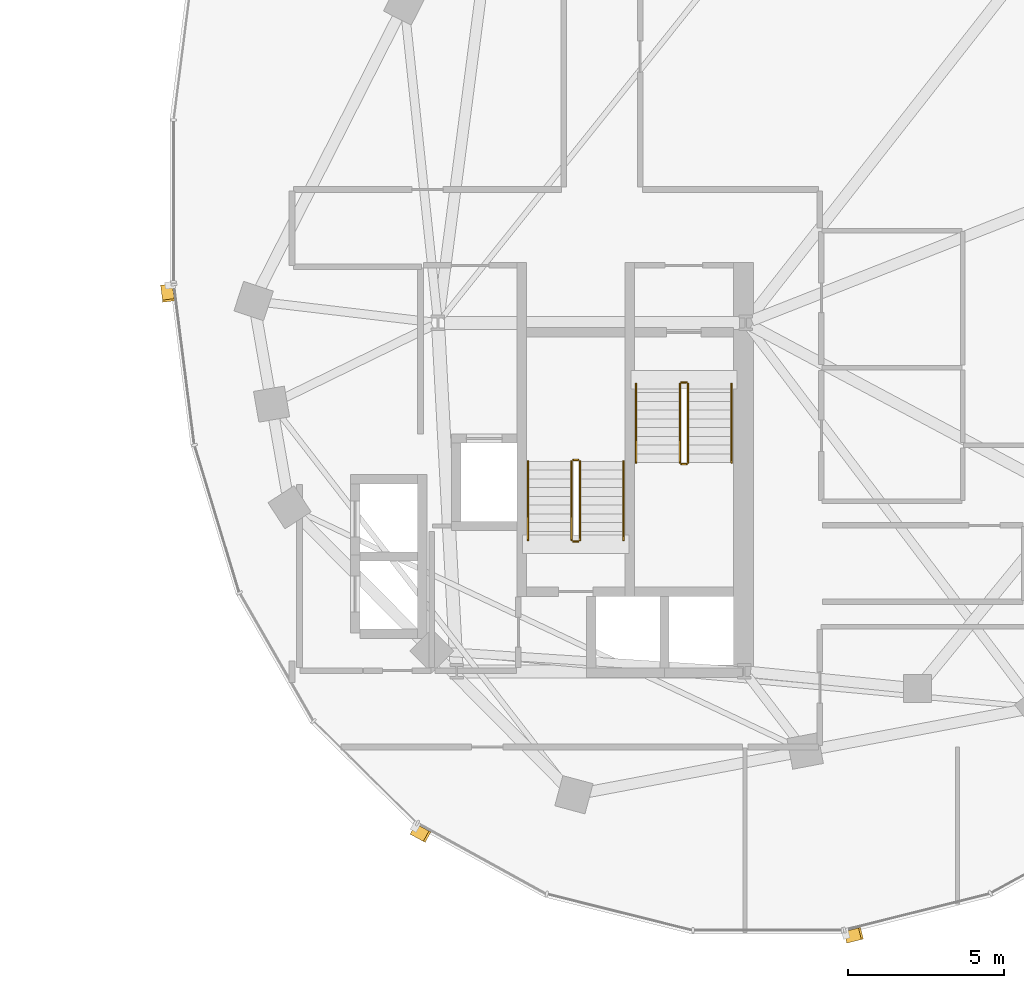
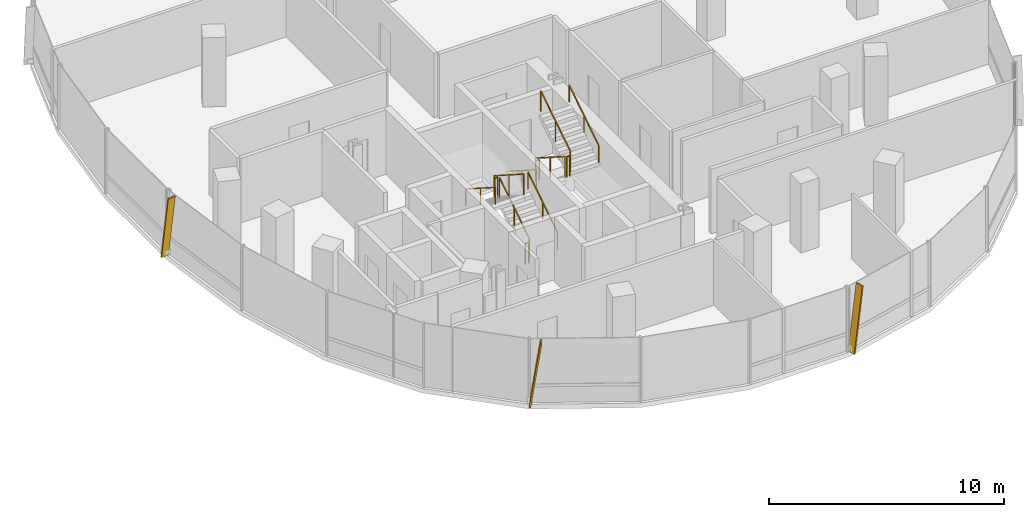
# One storey, part 21 of 22: 12 railings, 3 shading devices.
"""IFC4 building model written with IfcOpenShell, lengths in metres."""

from ifc_helpers import new_model, si_unit, direction, frame, origin, origin_2d, place, context, subcontext, project, spatial, rectangle, extrude, material, material_profile, profile_set, type_object, element, save


model = new_model("IFC4")

# Units and contexts
model_context = context("Model", 3, precision=1e-05, world=origin(), true_north=direction((0.0, 1.0)))
body_context = subcontext(model_context, "Body", "Model", "MODEL_VIEW")
ifc_project = project(units=[si_unit("LENGTHUNIT", "METRE"), si_unit("AREAUNIT", "SQUARE_METRE"), si_unit("VOLUMEUNIT", "CUBIC_METRE"), si_unit("PLANEANGLEUNIT", "RADIAN"), si_unit("MASSUNIT", "GRAM", prefix="KILO"), si_unit("THERMODYNAMICTEMPERATUREUNIT", "KELVIN"), si_unit("POWERUNIT", "WATT")], contexts=[model_context])

# Site, building, storey
site_placement = place(None, origin())
site = spatial("IfcSite", under=ifc_project, at=site_placement, CompositionType="ELEMENT")
building_placement = place(site_placement, origin())
building = spatial("IfcBuilding", under=site, at=building_placement, Name="Cundina Bronze Exchange", CompositionType="ELEMENT")
storey_placement = place(building_placement, frame((0.0, 0.0, 165.60009765625)))
storey = spatial("IfcBuildingStorey", under=building, at=storey_placement, Name="L43", CompositionType="ELEMENT", Elevation=165.60009765625)

# Railings
ifc_material_1 = material(Name="Steel ASTM A36 Painted", Category="steel")
railing_type_1 = type_object("IfcRailingType", Name="RLG-HND-900", PredefinedType="HANDRAIL", material=ifc_material_1)
railing_1_placement = place(storey_placement, frame((27.7900390625, -5.85009765625, 0.179931640625)))
element("IfcRailing", 1, at=railing_1_placement, inside=storey, type_object=railing_type_1, Name="L43 ST-E1 stair handrail 1", PredefinedType="HANDRAIL", context=body_context, shape_type="SweptSolid", body=[
    extrude(rectangle(XDim=0.048095703125, YDim=0.048095703125, at=origin_2d()), frame((0.0, 0.0, 0.8759765625), z_axis=(0.0, -0.841199657755, 0.540724639528), x_axis=(1.0, 0.0, 0.0)), (0.0, 0.0, 1.0), 2.995849609375),
    extrude(rectangle(XDim=0.0419921875, YDim=0.0419921875, at=origin_2d()), origin(), (0.0, 0.0, 1.0), 0.851806640625),
    extrude(rectangle(XDim=0.0419921875, YDim=0.0419921875, at=origin_2d()), frame((0.0, -1.260009765625, 0.81005859375)), (0.0, 0.0, 1.0), 0.851806640625),
    extrude(rectangle(XDim=0.0419921875, YDim=0.0419921875, at=origin_2d()), frame((0.0, -2.52001953125, 1.619873046875)), (0.0, 0.0, 1.0), 0.851806640625),
])
for number, where, name in (
    (2, (30.85009765625, -8.3701171875, 1.97998046875), "L43 ST-E1 stair handrail 2"),
    (3, (27.389892578125, -10.85009765625, 0.179931640625), "L43 ST-E2 stair handrail 1"),
):
    element("IfcRailing", number, at=place(storey_placement, frame(where)), inside=storey, type_object=railing_type_1, Name=name, PredefinedType="HANDRAIL", context=body_context, shape_type="SweptSolid", body=[
        extrude(rectangle(XDim=0.048095703125, YDim=0.048095703125, at=origin_2d()), frame((0.0, 0.0, 0.8759765625), z_axis=(0.0, 0.841199657755, 0.540724639528), x_axis=(-1.0, 0.0, 0.0)), (0.0, 0.0, 1.0), 2.995849609375),
        extrude(rectangle(XDim=0.0419921875, YDim=0.0419921875, at=origin_2d()), origin(), (0.0, 0.0, 1.0), 0.851806640625),
        extrude(rectangle(XDim=0.0419921875, YDim=0.0419921875, at=origin_2d()), frame((0.0, 1.260009765625, 0.81005859375)), (0.0, 0.0, 1.0), 0.851806640625),
        extrude(rectangle(XDim=0.0419921875, YDim=0.0419921875, at=origin_2d()), frame((0.0, 2.52001953125, 1.619873046875)), (0.0, 0.0, 1.0), 0.851806640625),
    ])
railing_2_placement = place(storey_placement, frame((24.330078125, -8.330078125, 1.97998046875)))
element("IfcRailing", 4, at=railing_2_placement, inside=storey, type_object=railing_type_1, Name="L43 ST-E2 stair handrail 2", PredefinedType="HANDRAIL", context=body_context, shape_type="SweptSolid", body=[
    extrude(rectangle(XDim=0.048095703125, YDim=0.048095703125, at=origin_2d()), frame((0.0, 0.0, 0.8759765625), z_axis=(0.0, -0.841199657755, 0.540724639528), x_axis=(1.0, 0.0, 0.0)), (0.0, 0.0, 1.0), 2.995849609375),
    extrude(rectangle(XDim=0.0419921875, YDim=0.0419921875, at=origin_2d()), origin(), (0.0, 0.0, 1.0), 0.851806640625),
    extrude(rectangle(XDim=0.0419921875, YDim=0.0419921875, at=origin_2d()), frame((0.0, -1.260009765625, 0.81005859375)), (0.0, 0.0, 1.0), 0.851806640625),
    extrude(rectangle(XDim=0.0419921875, YDim=0.0419921875, at=origin_2d()), frame((0.0, -2.52001953125, 1.619873046875)), (0.0, 0.0, 1.0), 0.851806640625),
])
railing_type_2 = type_object("IfcRailingType", Name="RLG-STG-1100", PredefinedType="GUARDRAIL", material=ifc_material_1)
railing_3_placement = place(storey_placement, frame((29.18994140625, -5.85009765625, 0.179931640625)))
element("IfcRailing", 5, at=railing_3_placement, inside=storey, type_object=railing_type_2, Name="L43 ST-E1 stair guard 1", PredefinedType="GUARDRAIL", context=body_context, shape_type="SweptSolid", body=[
    extrude(rectangle(XDim=0.048095703125, YDim=0.048095703125, at=origin_2d()), frame((0.0, 0.0, 1.076171875), z_axis=(0.0, -0.841199657755, 0.540724639528), x_axis=(1.0, 0.0, 0.0)), (0.0, 0.0, 1.0), 2.995849609375),
    extrude(rectangle(XDim=0.0419921875, YDim=0.0419921875, at=origin_2d()), origin(), (0.0, 0.0, 1.0), 1.052001953125),
    extrude(rectangle(XDim=0.0419921875, YDim=0.0419921875, at=origin_2d()), frame((0.0, -1.260009765625, 0.81005859375)), (0.0, 0.0, 1.0), 1.052001953125),
    extrude(rectangle(XDim=0.0419921875, YDim=0.0419921875, at=origin_2d()), frame((0.0, -2.52001953125, 1.619873046875)), (0.0, 0.0, 1.0), 1.052001953125),
])
railing_4_placement = place(storey_placement, frame((29.239990234375, -8.419921875, 1.7998046875)))
element("IfcRailing", 6, at=railing_4_placement, inside=storey, type_object=railing_type_2, Name="L43 ST-E1 stair guard 2", PredefinedType="GUARDRAIL", context=body_context, shape_type="SweptSolid", body=[
    extrude(rectangle(XDim=0.048095703125, YDim=0.048095703125, at=origin_2d()), frame((0.0, 0.0, 1.076171875), z_axis=(1.0, 0.0, 0.0), x_axis=(0.0, 1.0, 0.0)), (0.0, 0.0, 1.0), 0.159912109375),
    extrude(rectangle(XDim=0.0419921875, YDim=0.0419921875, at=origin_2d()), origin(), (0.0, 0.0, 1.0), 1.052001953125),
    extrude(rectangle(XDim=0.0419921875, YDim=0.0419921875, at=origin_2d()), frame((0.159912109375, 0.0, 0.0)), (0.0, 0.0, 1.0), 1.052001953125),
])
railing_5_placement = place(storey_placement, frame((29.449951171875, -8.3701171875, 1.97998046875)))
element("IfcRailing", 7, at=railing_5_placement, inside=storey, type_object=railing_type_2, Name="L43 ST-E1 stair guard 3", PredefinedType="GUARDRAIL", context=body_context, shape_type="SweptSolid", body=[
    extrude(rectangle(XDim=0.048095703125, YDim=0.048095703125, at=origin_2d()), frame((0.0, 0.0, 1.076171875), z_axis=(0.0, 0.841199657755, 0.540724639528), x_axis=(-1.0, 0.0, 0.0)), (0.0, 0.0, 1.0), 2.995849609375),
    extrude(rectangle(XDim=0.0419921875, YDim=0.0419921875, at=origin_2d()), origin(), (0.0, 0.0, 1.0), 1.052001953125),
    extrude(rectangle(XDim=0.0419921875, YDim=0.0419921875, at=origin_2d()), frame((0.0, 1.260009765625, 0.81005859375)), (0.0, 0.0, 1.0), 1.052001953125),
    extrude(rectangle(XDim=0.0419921875, YDim=0.0419921875, at=origin_2d()), frame((0.0, 2.52001953125, 1.619873046875)), (0.0, 0.0, 1.0), 1.052001953125),
])
railing_6_placement = place(storey_placement, frame((29.239990234375, -5.800048828125, 0.0)))
element("IfcRailing", 8, at=railing_6_placement, inside=storey, type_object=railing_type_2, Name="L43 ST-E1 stair guard 4", PredefinedType="GUARDRAIL", context=body_context, shape_type="SweptSolid", body=[
    extrude(rectangle(XDim=0.048095703125, YDim=0.048095703125, at=origin_2d()), frame((0.0, 0.0, 1.076171875), z_axis=(1.0, 0.0, 0.0), x_axis=(0.0, 1.0, 0.0)), (0.0, 0.0, 1.0), 0.159912109375),
    extrude(rectangle(XDim=0.0419921875, YDim=0.0419921875, at=origin_2d()), origin(), (0.0, 0.0, 1.0), 1.052001953125),
    extrude(rectangle(XDim=0.0419921875, YDim=0.0419921875, at=origin_2d()), frame((0.159912109375, 0.0, 0.0)), (0.0, 0.0, 1.0), 1.052001953125),
])
railing_7_placement = place(storey_placement, frame((25.989990234375, -10.85009765625, 0.179931640625)))
element("IfcRailing", 9, at=railing_7_placement, inside=storey, type_object=railing_type_2, Name="L43 ST-E2 stair guard 1", PredefinedType="GUARDRAIL", context=body_context, shape_type="SweptSolid", body=[
    extrude(rectangle(XDim=0.048095703125, YDim=0.048095703125, at=origin_2d()), frame((0.0, 0.0, 1.076171875), z_axis=(0.0, 0.841199657755, 0.540724639528), x_axis=(-1.0, 0.0, 0.0)), (0.0, 0.0, 1.0), 2.995849609375),
    extrude(rectangle(XDim=0.0419921875, YDim=0.0419921875, at=origin_2d()), origin(), (0.0, 0.0, 1.0), 1.052001953125),
    extrude(rectangle(XDim=0.0419921875, YDim=0.0419921875, at=origin_2d()), frame((0.0, 1.260009765625, 0.81005859375)), (0.0, 0.0, 1.0), 1.052001953125),
    extrude(rectangle(XDim=0.0419921875, YDim=0.0419921875, at=origin_2d()), frame((0.0, 2.52001953125, 1.619873046875)), (0.0, 0.0, 1.0), 1.052001953125),
])
railing_8_placement = place(storey_placement, frame((25.93994140625, -8.280029296875, 1.7998046875)))
element("IfcRailing", 10, at=railing_8_placement, inside=storey, type_object=railing_type_2, Name="L43 ST-E2 stair guard 2", PredefinedType="GUARDRAIL", context=body_context, shape_type="SweptSolid", body=[
    extrude(rectangle(XDim=0.048095703125, YDim=0.048095703125, at=origin_2d()), frame((0.0, 0.0, 1.076171875), z_axis=(-1.0, 0.0, 0.0), x_axis=(0.0, -1.0, 0.0)), (0.0, 0.0, 1.0), 0.159912109375),
    extrude(rectangle(XDim=0.0419921875, YDim=0.0419921875, at=origin_2d()), origin(), (0.0, 0.0, 1.0), 1.052001953125),
    extrude(rectangle(XDim=0.0419921875, YDim=0.0419921875, at=origin_2d()), frame((-0.159912109375, 0.0, 0.0)), (0.0, 0.0, 1.0), 1.052001953125),
])
railing_9_placement = place(storey_placement, frame((25.72998046875, -8.330078125, 1.97998046875)))
element("IfcRailing", 11, at=railing_9_placement, inside=storey, type_object=railing_type_2, Name="L43 ST-E2 stair guard 3", PredefinedType="GUARDRAIL", context=body_context, shape_type="SweptSolid", body=[
    extrude(rectangle(XDim=0.048095703125, YDim=0.048095703125, at=origin_2d()), frame((0.0, 0.0, 1.076171875), z_axis=(0.0, -0.841199657755, 0.540724639528), x_axis=(1.0, 0.0, 0.0)), (0.0, 0.0, 1.0), 2.995849609375),
    extrude(rectangle(XDim=0.0419921875, YDim=0.0419921875, at=origin_2d()), origin(), (0.0, 0.0, 1.0), 1.052001953125),
    extrude(rectangle(XDim=0.0419921875, YDim=0.0419921875, at=origin_2d()), frame((0.0, -1.260009765625, 0.81005859375)), (0.0, 0.0, 1.0), 1.052001953125),
    extrude(rectangle(XDim=0.0419921875, YDim=0.0419921875, at=origin_2d()), frame((0.0, -2.52001953125, 1.619873046875)), (0.0, 0.0, 1.0), 1.052001953125),
])
railing_10_placement = place(storey_placement, frame((25.93994140625, -10.89990234375, 0.0)))
element("IfcRailing", 12, at=railing_10_placement, inside=storey, type_object=railing_type_2, Name="L43 ST-E2 stair guard 4", PredefinedType="GUARDRAIL", context=body_context, shape_type="SweptSolid", body=[
    extrude(rectangle(XDim=0.048095703125, YDim=0.048095703125, at=origin_2d()), frame((0.0, 0.0, 1.076171875), z_axis=(-1.0, 0.0, 0.0), x_axis=(0.0, -1.0, 0.0)), (0.0, 0.0, 1.0), 0.159912109375),
    extrude(rectangle(XDim=0.0419921875, YDim=0.0419921875, at=origin_2d()), origin(), (0.0, 0.0, 1.0), 1.052001953125),
    extrude(rectangle(XDim=0.0419921875, YDim=0.0419921875, at=origin_2d()), frame((-0.159912109375, 0.0, 0.0)), (0.0, 0.0, 1.0), 1.052001953125),
])

# Shading devices
ifc_material_2 = material(Name="Anodised Bronze Aluminium 6063-T6", Category="aluminium")
ifc_material_profile = material_profile(ifc_material_2, rectangle(XDim=0.070068359375, YDim=0.3798828125, at=origin_2d()), Name="FIN70X380", Category="aluminium")
ifc_profile_set = profile_set([ifc_material_profile], Name="Anodised Bronze Aluminium 6063-T6")
shading_device_type = type_object("IfcShadingDeviceType", Name="SHD-FIN-BRZ380", PredefinedType="USERDEFINED", material=ifc_profile_set)
for number, where, z_axis, x_axis, name in (
    (13, (12.76513671875, -2.705810546875, 0.02001953125), (0.018123110499, -0.141927973785, 0.989711070527), (-0.125360600332, 0.981739641151, 0.143080386066), "L43 Diagonal Bronze Solar Fin 1"),
    (14, (20.679931640625, -20.11181640625, 0.02001953125), (0.125333488691, -0.068998924088, 0.989712415345), (-0.867010347902, 0.477308832643, 0.143071083426), "L43 Diagonal Bronze Solar Fin 5"),
    (15, (34.51953125, -23.556396484375, 0.02001953125), (0.138798398751, 0.034717795597, 0.989711917263), (-0.960131970194, -0.240158861973, 0.143074528925), "L43 Diagonal Bronze Solar Fin 1"),
):
    element("IfcShadingDevice", number, at=place(storey_placement, frame(where, z_axis=z_axis, x_axis=x_axis)), inside=storey, type_object=shading_device_type, Name=name, ObjectType="FIN", PredefinedType="USERDEFINED", context=body_context, shape_type="SweptSolid", body=[
        extrude(rectangle(XDim=0.070068359375, YDim=0.3798828125, at=origin_2d()), origin(), (0.0, 0.0, 1.0), 3.354248046875),
    ])

save(model, "model.ifc")
